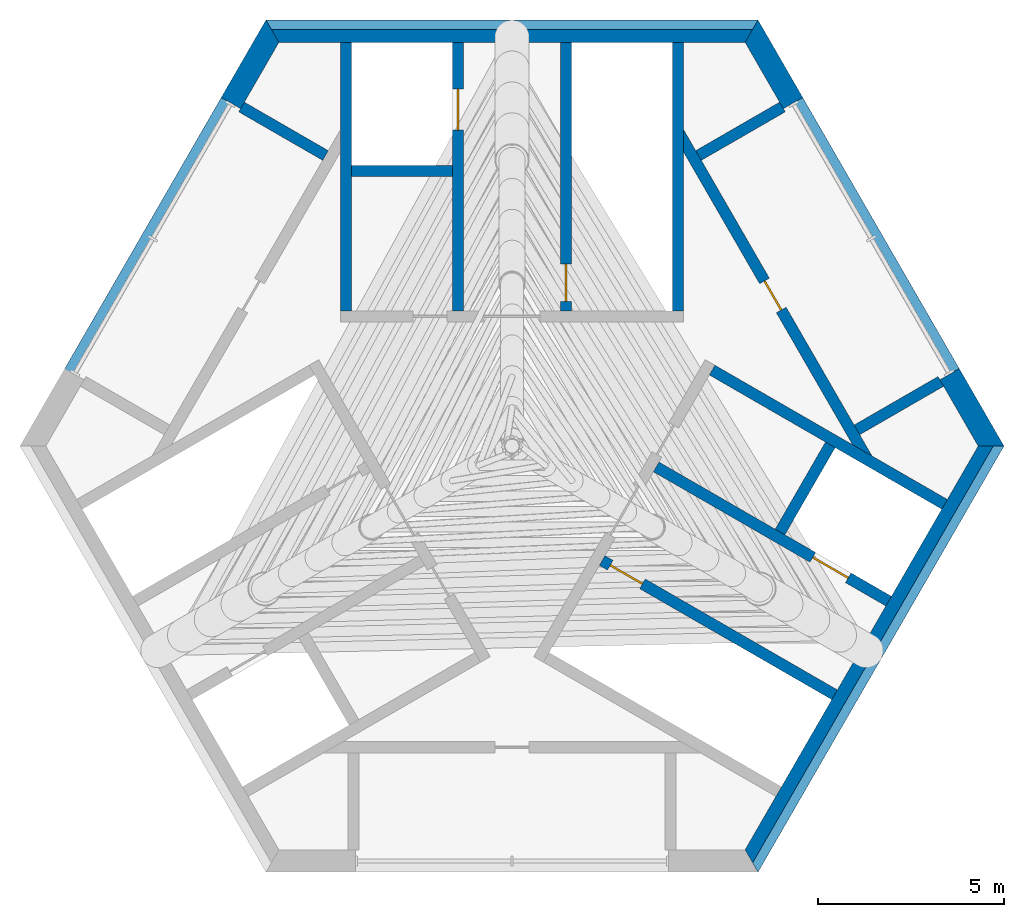
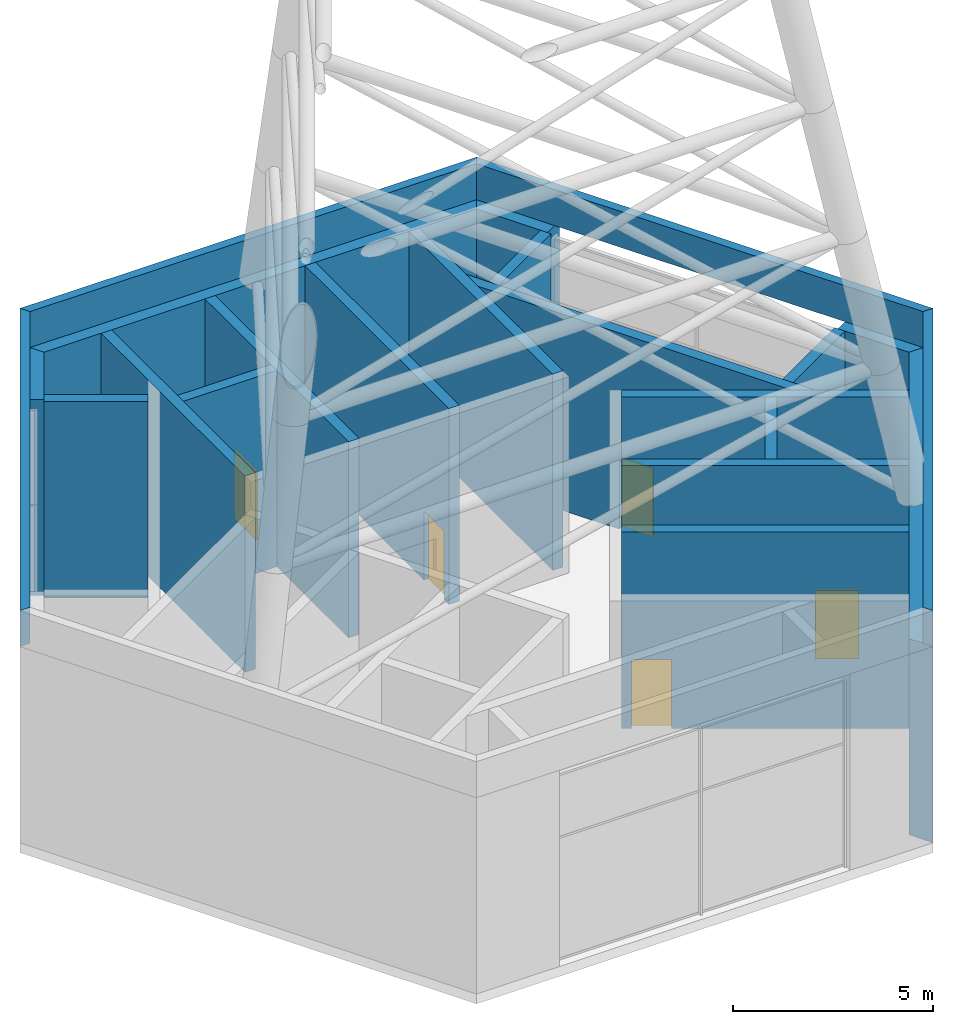
# One storey, part 9 of 10: 22 walls, 5 doors, 5 openings.
"""IFC4 building model written with IfcOpenShell, lengths in metres."""

import ifcopenshell
import ifcopenshell.guid

model = None  # the IFC model being written
_history = None  # IfcOwnerHistory: only IFC2X3 demands one
_inside = {}  # id of a spatial element -> (the spatial element, [elements in it])
_under = {}  # id of a project, library or spatial element -> (it, [spatial elements below it])
_declared = {}  # id of a project -> (the project, [libraries it declares])
_typed = {}  # id of a type object -> (the type object, [elements of that type])
_made_of = {}  # id of a material, layer set ... -> (it, [elements and type objects made of it])


def new_model(schema):
    """Start an empty IFC model of exactly this schema.

    Asked for "IFC4X3", IfcOpenShell would pick the latest addendum, in which some entities
    have other attributes; the version numbers below select the first issue.
    IFC2X3 requires an IfcOwnerHistory on every rooted entity: one is made here for all.
    """
    global model, _history
    if schema == "IFC4X3":
        model = ifcopenshell.file(schema_version=(4, 3, 0, 0))
    else:
        model = ifcopenshell.file(schema=schema)
    _inside.clear()
    _under.clear()
    _declared.clear()
    _typed.clear()
    _made_of.clear()
    _history = None
    if model.schema == "IFC2X3":
        org = make("IfcOrganization", Name="unknown")
        user = make(
            "IfcPersonAndOrganization",
            ThePerson=make("IfcPerson", FamilyName="unknown"),
            TheOrganization=org,
        )
        app = make(
            "IfcApplication",
            ApplicationDeveloper=org,
            Version="unknown",
            ApplicationFullName="unknown",
            ApplicationIdentifier="unknown",
        )
        _history = make(
            "IfcOwnerHistory",
            OwningUser=user,
            OwningApplication=app,
            ChangeAction="ADDED",
            CreationDate=0,
        )
    return model


def make(cls, **values):
    """One entity of the class cls with the attributes given. An attribute that is None is left unset."""
    return model.create_entity(
        cls, **{name: value for name, value in values.items() if value is not None}
    )


def rooted(cls, **values):
    """An entity with a GlobalId (a new one), such as an element, a storey or a relation."""
    return make(cls, GlobalId=ifcopenshell.guid.new(), OwnerHistory=_history, **values)


def si_unit(unit_type, name, prefix=None):
    """IfcSIUnit, for example si_unit("LENGTHUNIT", "METRE", prefix="MILLI")."""
    return make("IfcSIUnit", UnitType=unit_type, Prefix=prefix, Name=name)


def assignment(units):
    """IfcUnitAssignment: the units of a project."""
    return None if units is None else make("IfcUnitAssignment", Units=units)


def point(xyz):
    """IfcCartesianPoint."""
    return None if xyz is None else make("IfcCartesianPoint", Coordinates=xyz)


def direction(xyz):
    """IfcDirection."""
    return None if xyz is None else make("IfcDirection", DirectionRatios=xyz)


def frame(location, z_axis=None, x_axis=None):
    """IfcAxis2Placement3D, a coordinate frame: its origin and axes. An axis left out is left unset."""
    return make(
        "IfcAxis2Placement3D",
        Location=point(location),
        Axis=direction(z_axis),
        RefDirection=direction(x_axis),
    )


def frame_2d(location, x_axis=None):
    """IfcAxis2Placement2D, a coordinate frame in the plane: its origin and x axis."""
    return make(
        "IfcAxis2Placement2D", Location=point(location), RefDirection=direction(x_axis)
    )


def origin():
    """The frame at (0, 0, 0) with its axes left unset."""
    return frame((0.0, 0.0, 0.0))


def place(relative_to, where):
    """IfcLocalPlacement: puts the frame where relative to a parent placement (None: the world)."""
    return make(
        "IfcLocalPlacement", PlacementRelTo=relative_to, RelativePlacement=where
    )


def context(
    kind, dimensions, precision=None, world=None, true_north=None, identifier=None
):
    """IfcGeometricRepresentationContext, for example the 3D "Model" context."""
    return make(
        "IfcGeometricRepresentationContext",
        ContextIdentifier=identifier,
        ContextType=kind,
        CoordinateSpaceDimension=dimensions,
        Precision=precision,
        WorldCoordinateSystem=world,
        TrueNorth=true_north,
    )


def subcontext(parent, identifier, kind, view, scale=None):
    """IfcGeometricRepresentationSubContext, for example "Body" below "Model"."""
    return make(
        "IfcGeometricRepresentationSubContext",
        ContextIdentifier=identifier,
        ContextType=kind,
        ParentContext=parent,
        TargetScale=scale,
        TargetView=view,
    )


def project(units=None, contexts=None):
    """IfcProject with its units and contexts."""
    return rooted(
        "IfcProject",
        Name="project",
        RepresentationContexts=contexts,
        UnitsInContext=assignment(units),
    )


def spatial(cls, under=None, at=None, **own):
    """A site, building, storey or space (cls), placed at a placement, below another one or the project."""
    s = rooted(cls, ObjectPlacement=at, **own)
    if under is not None:
        _under.setdefault(under.id(), (under, []))[1].append(s)
    return s


def polyline(points):
    """IfcPolyline through the points."""
    return make("IfcPolyline", Points=[point(p) for p in points])


def profile(cls, at=None, kind="AREA", **sizes):
    """A parametric profile (cls). Its sizes go by their IFC names, for example OverallWidth=200.0."""
    return make(cls, ProfileType=kind, Position=at, **sizes)


def rectangle(**sizes):
    """IfcRectangleProfileDef."""
    return profile("IfcRectangleProfileDef", **sizes)


def outline(outer, holes=None, kind="AREA"):
    """IfcArbitraryClosedProfileDef: a profile drawn as a closed curve; with holes, ...WithVoids."""
    if holes is None:
        return make("IfcArbitraryClosedProfileDef", ProfileType=kind, OuterCurve=outer)
    return make(
        "IfcArbitraryProfileDefWithVoids",
        ProfileType=kind,
        OuterCurve=outer,
        InnerCurves=holes,
    )


def extrude(swept, where, along, depth):
    """IfcExtrudedAreaSolid: the profile swept, set in the frame where, extruded along a direction by depth."""
    return make(
        "IfcExtrudedAreaSolid",
        SweptArea=swept,
        Position=where,
        ExtrudedDirection=direction(along),
        Depth=depth,
    )


def shape(context_of_items, identifier, shape_type, items):
    """IfcShapeRepresentation: the items that make up one representation, for example the "Body"."""
    return make(
        "IfcShapeRepresentation",
        ContextOfItems=context_of_items,
        RepresentationIdentifier=identifier,
        RepresentationType=shape_type,
        Items=items,
    )


def material(Name=None, Category=None):
    """IfcMaterial."""
    return make("IfcMaterial", Name=Name, Category=Category)


def layer(
    of_material, thickness, ventilated=None, Name=None, Category=None, Priority=None
):
    """IfcMaterialLayer: one layer of a wall or slab, of a material (None: an air gap)."""
    return make(
        "IfcMaterialLayer",
        Material=of_material,
        LayerThickness=thickness,
        IsVentilated=ventilated,
        Name=Name,
        Category=Category,
        Priority=Priority,
    )


def layer_set(layers, Name=None):
    """IfcMaterialLayerSet."""
    return make("IfcMaterialLayerSet", MaterialLayers=layers, LayerSetName=Name)


def made_of(thing, what):
    """Note that an element or type object is made of a material, layer set ...; save() writes the relation."""
    if what is not None:
        _made_of.setdefault(what.id(), (what, []))[1].append(thing)
    return thing


def type_object(cls, material=None, **own):
    """A type object (cls), such as IfcWallType, which elements share."""
    return made_of(rooted(cls, **own), material)


def element(
    cls,
    number,
    at=None,
    inside=None,
    cuts=None,
    type_object=None,
    material=None,
    context=None,
    identifier="Body",
    shape_type=None,
    held_by="IfcProductDefinitionShape",
    body=None,
    shapes=None,
    **own,
):
    """One element of the class cls, such as IfcWall. Its Tag is "e" and its number.

    at: its placement. inside: the storey or other place that contains it. cuts: it is an
    opening in that element (IfcRelVoidsElement). A single representation is given by context,
    identifier, shape_type and body (its items); several are given by shapes. held_by: the class
    of the entity that holds the representations. save() writes the other relations.
    """
    e = rooted(cls, Tag="e%d" % number, ObjectPlacement=at, **own)
    if body is not None:
        shapes = [shape(context, identifier, shape_type, body)]
    if shapes is not None:
        e.Representation = make(held_by, Representations=shapes)
    if inside is not None:
        _inside.setdefault(inside.id(), (inside, []))[1].append(e)
    if cuts is not None:
        rooted(
            "IfcRelVoidsElement", RelatingBuildingElement=cuts, RelatedOpeningElement=e
        )
    if type_object is not None:
        _typed.setdefault(type_object.id(), (type_object, []))[1].append(e)
    return made_of(e, material)


def fill(opening, filler):
    """IfcRelFillsElement: the door or window that sits in an opening."""
    return rooted(
        "IfcRelFillsElement",
        RelatingOpeningElement=opening,
        RelatedBuildingElement=filler,
    )


def aggregate(whole, parts):
    """IfcRelAggregates: a whole, such as a stair, and the parts it consists of."""
    return rooted("IfcRelAggregates", RelatingObject=whole, RelatedObjects=parts)


def save(model, path):
    """Write the relations noted so far, then the file.

    IfcRelAggregates (storeys below a building ...), IfcRelContainedInSpatialStructure (elements
    in a storey), IfcRelDefinesByType, IfcRelAssociatesMaterial and IfcRelDeclares: one each for
    every whole, place, type object, material and project.
    """
    for whole, parts in _under.values():
        aggregate(whole, parts)
    for where, things in _inside.values():
        rooted(
            "IfcRelContainedInSpatialStructure",
            RelatedElements=things,
            RelatingStructure=where,
        )
    for kind, things in _typed.values():
        rooted("IfcRelDefinesByType", RelatedObjects=things, RelatingType=kind)
    for what, things in _made_of.values():
        rooted("IfcRelAssociatesMaterial", RelatedObjects=things, RelatingMaterial=what)
    for by, libraries in _declared.values():
        rooted("IfcRelDeclares", RelatingContext=by, RelatedDefinitions=libraries)
    model.write(path)


model = new_model("IFC4")

# Units and contexts
model_context = context("Model", 3, precision=1e-05, world=origin(), true_north=direction((0.0, 1.0)))
body_context = subcontext(model_context, "Body", "Model", "MODEL_VIEW")
ifc_project = project(units=[si_unit("LENGTHUNIT", "METRE"), si_unit("AREAUNIT", "SQUARE_METRE"), si_unit("VOLUMEUNIT", "CUBIC_METRE"), si_unit("PLANEANGLEUNIT", "RADIAN"), si_unit("MASSUNIT", "GRAM", prefix="KILO")], contexts=[model_context])

# Site, building, storey
site_placement = place(None, origin())
site = spatial("IfcSite", under=ifc_project, at=site_placement, CompositionType="ELEMENT")
building_placement = place(site_placement, origin())
building = spatial("IfcBuilding", under=site, at=building_placement, Name="Impinga Residences", CompositionType="ELEMENT")
storey_placement = place(building_placement, frame((0.0, 0.0, 301.75)))
storey = spatial("IfcBuildingStorey", under=building, at=storey_placement, Name="L75", CompositionType="ELEMENT", Elevation=301.75)

# Walls
ifc_material_1 = material(Name="Concrete C60/75", Category="concrete")
ifc_layer_1 = layer(ifc_material_1, 0.25)
ifc_layer_set_1 = layer_set([ifc_layer_1], Name="Concrete C60/75")
wall_type_1 = type_object("IfcWallType", Name="PA1 roof parapet 250", PredefinedType="PARAPET", material=ifc_layer_set_1)
wall_1_placement = place(storey_placement, frame((0.0, 0.0, 6.0)))
element("IfcWall", 1, at=wall_1_placement, inside=storey, type_object=wall_type_1, Name="Parapet PA1 L75", PredefinedType="PARAPET", context=body_context, shape_type="SweptSolid", body=[
    extrude(outline(polyline([(13.199951171875, 0.0), (6.60009765625, 11.431640625), (6.45556640625, 11.181640625), (12.911376953125, 0.0), (13.199951171875, 0.0)])), origin(), (0.0, 0.0, 1.0), 1.10009765625),
])
wall_2_placement = place(storey_placement, frame((0.0, 0.0, 6.0)))
element("IfcWall", 2, at=wall_2_placement, inside=storey, type_object=wall_type_1, Name="Parapet PA1 L75", PredefinedType="PARAPET", context=body_context, shape_type="SweptSolid", body=[
    extrude(outline(polyline([(6.60009765625, 11.431640625), (-6.60009765625, 11.431640625), (-6.45556640625, 11.181640625), (6.45556640625, 11.181640625), (6.60009765625, 11.431640625)])), origin(), (0.0, 0.0, 1.0), 1.10009765625),
])
wall_3_placement = place(storey_placement, frame((0.0, 0.0, 6.0)))
element("IfcWall", 3, at=wall_3_placement, inside=storey, type_object=wall_type_1, Name="Parapet PA1 L75", PredefinedType="PARAPET", context=body_context, shape_type="SweptSolid", body=[
    extrude(outline(polyline([(-6.60009765625, 11.431640625), (-13.199951171875, 0.0), (-12.911376953125, 0.0), (-6.45556640625, 11.181640625), (-6.60009765625, 11.431640625)])), origin(), (0.0, 0.0, 1.0), 1.10009765625),
])
wall_4_placement = place(storey_placement, frame((0.0, 0.0, 6.0)))
element("IfcWall", 4, at=wall_4_placement, inside=storey, type_object=wall_type_1, Name="Parapet PA1 L75", PredefinedType="PARAPET", context=body_context, shape_type="SweptSolid", body=[
    extrude(outline(polyline([(6.60009765625, -11.431640625), (13.199951171875, 0.0), (12.911376953125, 0.0), (6.45556640625, -11.181640625), (6.60009765625, -11.431640625)])), origin(), (0.0, 0.0, 1.0), 1.10009765625),
])
ifc_layer_2 = layer(ifc_material_1, 0.60009765625)
ifc_layer_set_2 = layer_set([ifc_layer_2], Name="Concrete C60/75")
wall_type_2 = type_object("IfcWallType", Name="SW4 core wall, crown 600", PredefinedType="SHEAR", material=ifc_layer_set_2)
wall_5_placement = place(storey_placement, origin())
element("IfcWall", 5, at=wall_5_placement, inside=storey, type_object=wall_type_2, Name="Core wall SW4 N:FACE L75", PredefinedType="SHEAR", context=body_context, shape_type="SweptSolid", body=[
    extrude(outline(polyline([(-6.60009765625, 11.431640625), (6.60009765625, 11.431640625), (6.253662109375, 10.83154296875), (-6.253662109375, 10.83154296875), (-6.60009765625, 11.431640625)])), origin(), (0.0, 0.0, 1.0), 6.0),
])
wall_6_placement = place(storey_placement, origin())
element("IfcWall", 6, at=wall_6_placement, inside=storey, type_object=wall_type_2, Name="Core wall SW4 E:FACE L75", PredefinedType="SHEAR", context=body_context, shape_type="SweptSolid", body=[
    extrude(outline(polyline([(13.199951171875, 0.0), (6.60009765625, -11.431640625), (6.253662109375, -10.83154296875), (12.507080078125, 0.0), (13.199951171875, 0.0)])), origin(), (0.0, 0.0, 1.0), 6.0),
])
wall_7_placement = place(storey_placement, origin())
element("IfcWall", 7, at=wall_7_placement, inside=storey, type_object=wall_type_2, Name="Core wall SW4 W:EXPOSED:1 L75", PredefinedType="SHEAR", context=body_context, shape_type="SweptSolid", body=[
    extrude(outline(polyline([(13.199951171875, 0.0), (12.0, 2.078369140625), (11.48046875, 1.778564453125), (12.507080078125, 0.0), (13.199951171875, 0.0)])), origin(), (0.0, 0.0, 1.0), 6.0),
])
wall_8_placement = place(storey_placement, origin())
element("IfcWall", 8, at=wall_8_placement, inside=storey, type_object=wall_type_2, Name="Core wall SW4 W:EXPOSED:2 L75", PredefinedType="SHEAR", context=body_context, shape_type="SweptSolid", body=[
    extrude(outline(polyline([(7.800048828125, 9.35302734375), (6.60009765625, 11.431640625), (6.253662109375, 10.83154296875), (7.2802734375, 9.052978515625), (7.800048828125, 9.35302734375)])), origin(), (0.0, 0.0, 1.0), 6.0),
])
wall_9_placement = place(storey_placement, origin())
element("IfcWall", 9, at=wall_9_placement, inside=storey, type_object=wall_type_2, Name="Core wall SW4 E:EXPOSED:1 L75", PredefinedType="SHEAR", context=body_context, shape_type="SweptSolid", body=[
    extrude(outline(polyline([(-6.60009765625, 11.431640625), (-7.800048828125, 9.35302734375), (-7.2802734375, 9.052978515625), (-6.253662109375, 10.83154296875), (-6.60009765625, 11.431640625)])), origin(), (0.0, 0.0, 1.0), 6.0),
])

# Wall, opening, door
ifc_material_2 = material(Name="Concrete C70/85", Category="concrete")
ifc_layer_3 = layer(ifc_material_2, 0.300048828125)
ifc_layer_set_3 = layer_set([ifc_layer_3], Name="Concrete C70/85")
wall_type_3 = type_object("IfcWallType", Name="SW5 core inner wall, stairs, shafts and lobbies 300", PredefinedType="SHEAR", material=ifc_layer_set_3)
wall_10_placement = place(storey_placement, frame((1.449951171875, 3.6298828125, 0.0), z_axis=(0.0, 0.0, 1.0), x_axis=(0.0, 1.0, 0.0)))
wall_10 = element("IfcWall", 10, at=wall_10_placement, inside=storey, type_object=wall_type_3, Name="Core wall SW5 N:ST-IN L75", PredefinedType="SHEAR", context=body_context, shape_type="SweptSolid", body=[
    extrude(rectangle(XDim=7.20166015625, YDim=0.300048828125, at=frame_2d((3.600830078125, 0.0))), origin(), (0.0, 0.0, 1.0), 6.0),
])
opening_1_placement = place(wall_10_placement, frame((0.25, 0.0, 0.0)))
opening_1 = element("IfcOpeningElement", 11, at=opening_1_placement, cuts=wall_10, Name="Opening D5", PredefinedType="OPENING", context=body_context, shape_type="SweptSolid", body=[
    extrude(rectangle(XDim=1.0, YDim=2.10009765625, at=frame_2d((0.5, 1.050048828125))), frame((0.0, 0.159912109375, 0.0), z_axis=(0.0, -1.0, 0.0), x_axis=(1.0, 0.0, 0.0)), (0.0, 0.0, 1.0), 0.320068359375),
])
ifc_material_3 = material(Name="Timber door set", Category="wood")
door_type_1 = type_object("IfcDoorType", Name="D5 stair door 1000x2100", OperationType="SINGLE_SWING_LEFT", PredefinedType="DOOR", material=ifc_material_3)
door_1_placement = place(opening_1_placement, origin())
door_1 = element("IfcDoor", 12, at=door_1_placement, inside=storey, type_object=door_type_1, Name="Stair door N", OperationType="SINGLE_SWING_LEFT", OverallHeight=2.10009765625, OverallWidth=1.0, PredefinedType="DOOR", context=body_context, shape_type="SweptSolid", body=[
    extrude(rectangle(XDim=1.0, YDim=2.10009765625, at=frame_2d((0.5, 1.050048828125))), frame((0.0, 0.02490234375, 0.0), z_axis=(0.0, -1.0, 0.0), x_axis=(1.0, 0.0, 0.0)), (0.0, 0.0, 1.0), 0.050048828125),
])
fill(opening_1, door_1)

# Wall
wall_11_placement = place(storey_placement, frame((4.449951171875, 3.6298828125, 0.0), z_axis=(0.0, 0.0, 1.0), x_axis=(0.0, 1.0, 0.0)))
element("IfcWall", 13, at=wall_11_placement, inside=storey, type_object=wall_type_3, Name="Core wall SW5 N:ST-OUT L75", PredefinedType="SHEAR", context=body_context, shape_type="SweptSolid", body=[
    extrude(rectangle(XDim=7.20166015625, YDim=0.300048828125, at=frame_2d((3.600830078125, 0.0))), origin(), (0.0, 0.0, 1.0), 6.0),
])

# Wall, opening, door
wall_12_placement = place(storey_placement, frame((-1.449951171875, 3.6298828125, 0.0), z_axis=(0.0, 0.0, 1.0), x_axis=(0.0, 1.0, 0.0)))
wall_12 = element("IfcWall", 14, at=wall_12_placement, inside=storey, type_object=wall_type_3, Name="Core wall SW5 N:FF-IN L75", PredefinedType="SHEAR", context=body_context, shape_type="SweptSolid", body=[
    extrude(rectangle(XDim=7.20166015625, YDim=0.300048828125, at=frame_2d((3.600830078125, 0.0))), origin(), (0.0, 0.0, 1.0), 6.0),
])
opening_2_placement = place(wall_12_placement, frame((4.85009765625, 0.0, 0.0)))
opening_2 = element("IfcOpeningElement", 15, at=opening_2_placement, cuts=wall_12, Name="Opening LD2", PredefinedType="OPENING", context=body_context, shape_type="SweptSolid", body=[
    extrude(rectangle(XDim=1.10009765625, YDim=2.10009765625, at=frame_2d((0.550048828125, 1.050048828125))), frame((0.0, 0.159912109375, 0.0), z_axis=(0.0, -1.0, 0.0), x_axis=(1.0, 0.0, 0.0)), (0.0, 0.0, 1.0), 0.320068359375),
])
ifc_material_4 = material(Name="Steel lift landing door", Category="steel")
door_type_2 = type_object("IfcDoorType", Name="LD2 firefighting lift landing door 1100x2100", OperationType="DOUBLE_DOOR_SLIDING", PredefinedType="DOOR", material=ifc_material_4)
door_2_placement = place(opening_2_placement, origin())
door_2 = element("IfcDoor", 16, at=door_2_placement, inside=storey, type_object=door_type_2, Name="Firefighting lift landing door F1", OperationType="DOUBLE_DOOR_SLIDING", OverallHeight=2.10009765625, OverallWidth=1.10009765625, PredefinedType="DOOR", context=body_context, shape_type="SweptSolid", body=[
    extrude(rectangle(XDim=1.10009765625, YDim=2.10009765625, at=frame_2d((0.550048828125, 1.050048828125))), frame((0.0, 0.02490234375, 0.0), z_axis=(0.0, -1.0, 0.0), x_axis=(1.0, 0.0, 0.0)), (0.0, 0.0, 1.0), 0.050048828125),
])
fill(opening_2, door_2)

# Walls
wall_13_placement = place(storey_placement, frame((-4.449951171875, 3.6298828125, 0.0), z_axis=(0.0, 0.0, 1.0), x_axis=(0.0, 1.0, 0.0)))
element("IfcWall", 17, at=wall_13_placement, inside=storey, type_object=wall_type_3, Name="Core wall SW5 N:FF-OUT L75", PredefinedType="SHEAR", context=body_context, shape_type="SweptSolid", body=[
    extrude(rectangle(XDim=7.20166015625, YDim=0.300048828125, at=frame_2d((3.600830078125, 0.0))), origin(), (0.0, 0.0, 1.0), 6.0),
])
wall_14_placement = place(storey_placement, frame((-4.300048828125, 7.3798828125, 0.0), z_axis=(0.0, 0.0, 1.0), x_axis=(1.0, 0.0, 0.0)))
element("IfcWall", 18, at=wall_14_placement, inside=storey, type_object=wall_type_3, Name="Core wall SW5 N:FF-RS L75", PredefinedType="SHEAR", context=body_context, shape_type="SweptSolid", body=[
    extrude(rectangle(XDim=2.699951171875, YDim=0.300048828125, at=frame_2d((1.35009765625, 0.0))), origin(), (0.0, 0.0, 1.0), 6.0),
])

# Wall, opening, door
wall_15_placement = place(storey_placement, frame((2.418701171875, -3.07080078125, 0.0), z_axis=(0.0, 0.0, 1.0), x_axis=(0.86603146111, -0.499989508258, 0.0)))
wall_15 = element("IfcWall", 19, at=wall_15_placement, inside=storey, type_object=wall_type_3, Name="Core wall SW5 E:ST-IN L75", PredefinedType="SHEAR", context=body_context, shape_type="SweptSolid", body=[
    extrude(rectangle(XDim=7.201416015625, YDim=0.300048828125, at=frame_2d((3.6005859375, 0.0))), origin(), (0.0, 0.0, 1.0), 6.0),
])
opening_3_placement = place(wall_15_placement, frame((0.25, 0.0, 0.0)))
opening_3 = element("IfcOpeningElement", 20, at=opening_3_placement, cuts=wall_15, Name="Opening D5", PredefinedType="OPENING", context=body_context, shape_type="SweptSolid", body=[
    extrude(rectangle(XDim=1.0, YDim=2.10009765625, at=frame_2d((0.5, 1.050048828125))), frame((0.0, 0.159912109375, 0.0), z_axis=(0.0, -1.0, 0.0), x_axis=(1.0, 0.0, 0.0)), (0.0, 0.0, 1.0), 0.320068359375),
])
door_3_placement = place(opening_3_placement, origin())
door_3 = element("IfcDoor", 21, at=door_3_placement, inside=storey, type_object=door_type_1, Name="Stair door E", OperationType="SINGLE_SWING_LEFT", OverallHeight=2.10009765625, OverallWidth=1.0, PredefinedType="DOOR", context=body_context, shape_type="SweptSolid", body=[
    extrude(rectangle(XDim=1.0, YDim=2.10009765625, at=frame_2d((0.5, 1.050048828125))), frame((0.0, 0.02490234375, 0.0), z_axis=(0.0, -1.0, 0.0), x_axis=(1.0, 0.0, 0.0)), (0.0, 0.0, 1.0), 0.050048828125),
])
fill(opening_3, door_3)

wall_16_placement = place(storey_placement, frame((3.86865234375, -0.559326171875, 0.0), z_axis=(0.0, 0.0, 1.0), x_axis=(0.866039935929, -0.499974828743, 0.0)))
wall_16 = element("IfcWall", 22, at=wall_16_placement, inside=storey, type_object=wall_type_3, Name="Core wall SW5 E:FF-IN L75", PredefinedType="SHEAR", context=body_context, shape_type="SweptSolid", body=[
    extrude(rectangle(XDim=7.201416015625, YDim=0.300048828125, at=frame_2d((3.6005859375, 0.0))), origin(), (0.0, 0.0, 1.0), 6.0),
])
opening_4_placement = place(wall_16_placement, frame((4.85009765625, 0.0, 0.0)))
opening_4 = element("IfcOpeningElement", 23, at=opening_4_placement, cuts=wall_16, Name="Opening LD2", PredefinedType="OPENING", context=body_context, shape_type="SweptSolid", body=[
    extrude(rectangle(XDim=1.10009765625, YDim=2.10009765625, at=frame_2d((0.550048828125, 1.050048828125))), frame((0.0, 0.159912109375, 0.0), z_axis=(0.0, -1.0, 0.0), x_axis=(1.0, 0.0, 0.0)), (0.0, 0.0, 1.0), 0.320068359375),
])
door_4_placement = place(opening_4_placement, origin())
door_4 = element("IfcDoor", 24, at=door_4_placement, inside=storey, type_object=door_type_2, Name="Firefighting lift landing door F3", OperationType="DOUBLE_DOOR_SLIDING", OverallHeight=2.10009765625, OverallWidth=1.10009765625, PredefinedType="DOOR", context=body_context, shape_type="SweptSolid", body=[
    extrude(rectangle(XDim=1.10009765625, YDim=2.10009765625, at=frame_2d((0.550048828125, 1.050048828125))), frame((0.0, 0.02490234375, 0.0), z_axis=(0.0, -1.0, 0.0), x_axis=(1.0, 0.0, 0.0)), (0.0, 0.0, 1.0), 0.050048828125),
])
fill(opening_4, door_4)

# Walls
wall_17_placement = place(storey_placement, frame((5.36865234375, 2.038818359375, 0.0), z_axis=(0.0, 0.0, 1.0), x_axis=(0.866025256649, -0.500000254847, 0.0)))
element("IfcWall", 25, at=wall_17_placement, inside=storey, type_object=wall_type_3, Name="Core wall SW5 E:FF-OUT L75", PredefinedType="SHEAR", context=body_context, shape_type="SweptSolid", body=[
    extrude(rectangle(XDim=7.20166015625, YDim=0.300048828125, at=frame_2d((3.600830078125, 0.0))), origin(), (0.0, 0.0, 1.0), 6.0),
])
wall_18_placement = place(storey_placement, frame((8.541259765625, 0.033935546875, 0.0), z_axis=(0.0, 0.0, 1.0), x_axis=(-0.50000943426, -0.866019956843, 0.0)))
element("IfcWall", 26, at=wall_18_placement, inside=storey, type_object=wall_type_3, Name="Core wall SW5 E:FF-RS L75", PredefinedType="SHEAR", context=body_context, shape_type="SweptSolid", body=[
    extrude(rectangle(XDim=2.7001953125, YDim=0.300048828125, at=frame_2d((1.35009765625, 0.0))), origin(), (0.0, 0.0, 1.0), 6.0),
])

# Wall, opening, door
wall_19_placement = place(storey_placement, frame((4.449951171875, 8.455322265625, 0.0), z_axis=(0.0, 0.0, 1.0), x_axis=(0.500002290144, -0.866024081565, 0.0)))
wall_19 = element("IfcWall", 27, at=wall_19_placement, inside=storey, type_object=wall_type_3, Name="Core wall SW5 W:BANK-FRONT L75", PredefinedType="SHEAR", context=body_context, shape_type="SweptSolid", body=[
    extrude(rectangle(XDim=10.1953125, YDim=0.300048828125, at=frame_2d((5.09765625, 0.0))), origin(), (0.0, 0.0, 1.0), 6.0),
])
opening_5_placement = place(wall_19_placement, frame((4.647705078125, 0.0, 0.0)))
opening_5 = element("IfcOpeningElement", 28, at=opening_5_placement, cuts=wall_19, Name="Opening D6", PredefinedType="OPENING", context=body_context, shape_type="SweptSolid", body=[
    extrude(rectangle(XDim=0.89990234375, YDim=2.10009765625, at=frame_2d((0.449951171875, 1.050048828125))), frame((0.0, 0.159912109375, 0.0), z_axis=(0.0, -1.0, 0.0), x_axis=(1.0, 0.0, 0.0)), (0.0, 0.0, 1.0), 0.320068359375),
])
door_type_3 = type_object("IfcDoorType", Name="D6 riser and store door 900x2100", OperationType="SINGLE_SWING_LEFT", PredefinedType="DOOR", material=ifc_material_3)
door_5_placement = place(opening_5_placement, origin())
door_5 = element("IfcDoor", 29, at=door_5_placement, inside=storey, type_object=door_type_3, Name="Communications plant room door", OperationType="SINGLE_SWING_RIGHT", OverallHeight=2.10009765625, OverallWidth=0.89990234375, PredefinedType="DOOR", context=body_context, shape_type="SweptSolid", body=[
    extrude(rectangle(XDim=0.89990234375, YDim=2.10009765625, at=frame_2d((0.449951171875, 1.050048828125))), frame((0.0, 0.02490234375, 0.0), z_axis=(0.0, -1.0, 0.0), x_axis=(1.0, 0.0, 0.0)), (0.0, 0.0, 1.0), 0.050048828125),
])
fill(opening_5, door_5)

# Walls
for number, where, z_axis, x_axis, name in (
    (30, (5.003662109375, 7.79638671875, 0.0), (0.0, 0.0, 1.0), (0.866021400173, 0.500006934395, 0.0), "Core wall SW5 W:BANK-L L75"),
    (31, (9.253662109375, 0.43505859375, 0.0), (0.0, 0.0, 1.0), (0.866021400173, 0.500006934395, 0.0), "Core wall SW5 W:BANK-R L75"),
    (32, (-5.003662109375, 7.79638671875, 0.0), (0.0, 0.0, 1.0), (-0.866021400173, 0.500006934395, 0.0), "Core wall SW5 E:BANK-R L75"),
):
    element("IfcWall", number, at=place(storey_placement, frame(where, z_axis=z_axis, x_axis=x_axis)), inside=storey, type_object=wall_type_3, Name=name, PredefinedType="SHEAR", context=body_context, shape_type="SweptSolid", body=[
        extrude(rectangle(XDim=2.60009765625, YDim=0.300048828125, at=frame_2d((1.300048828125, 0.0))), origin(), (0.0, 0.0, 1.0), 6.0),
    ])

save(model, "model.ifc")
